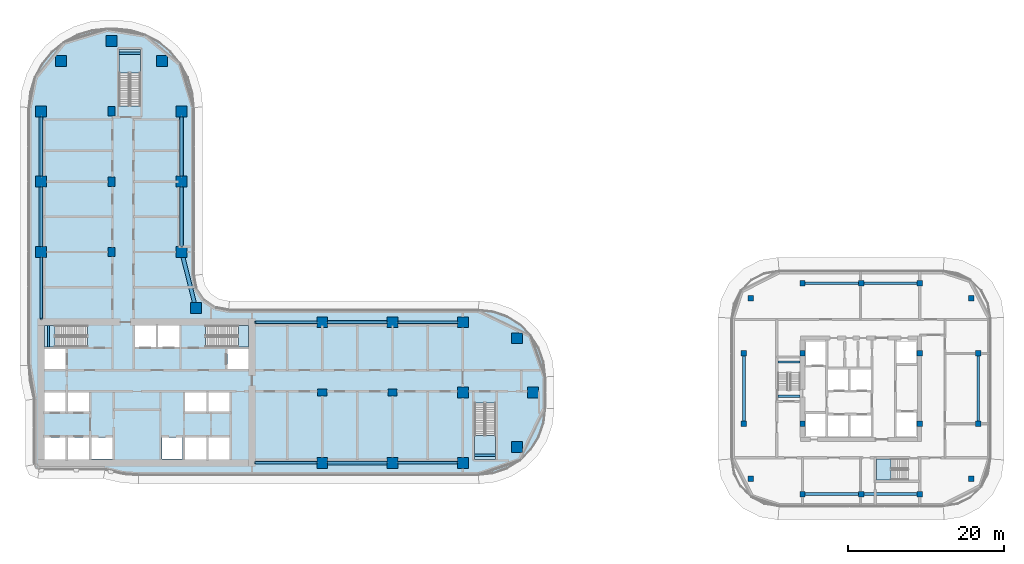
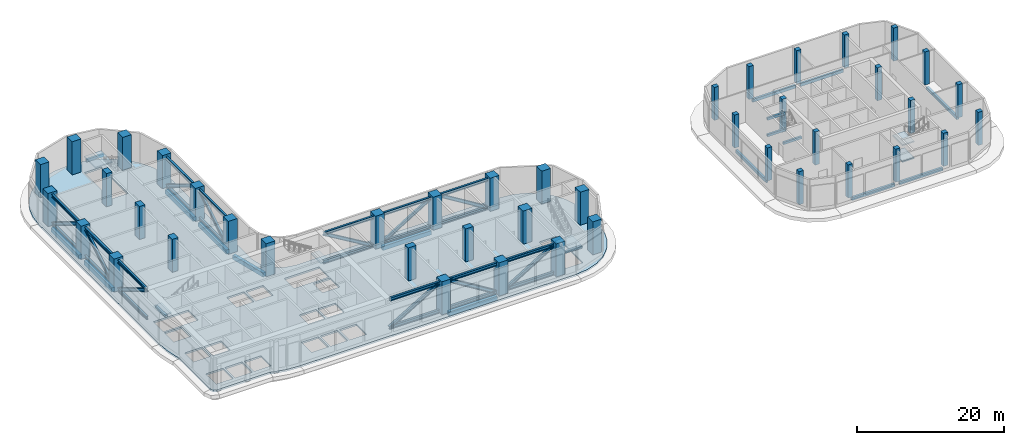
# One storey, part 1 of 23: 43 columns, 33 members, 19 beams, 7 slabs, 5 elements without a shape of their own.
"""IFC4 building model written with IfcOpenShell, lengths in metres."""

from ifc_helpers import new_model, si_unit, direction, frame, origin, origin_2d, place, context, subcontext, project, spatial, polyline, rectangle, i_section, outline, extrude, material, layer, layer_set, material_profile, profile_set, type_object, element, aggregate, save


model = new_model("IFC4")

# Units and contexts
model_context = context("Model", 3, precision=1e-05, world=origin(), true_north=direction((0.0, 1.0)))
body_context = subcontext(model_context, "Body", "Model", "MODEL_VIEW")
ifc_project = project(units=[si_unit("LENGTHUNIT", "METRE"), si_unit("AREAUNIT", "SQUARE_METRE"), si_unit("VOLUMEUNIT", "CUBIC_METRE"), si_unit("PLANEANGLEUNIT", "RADIAN"), si_unit("MASSUNIT", "GRAM", prefix="KILO")], contexts=[model_context])

# Site, building, storey
site_placement = place(None, origin())
site = spatial("IfcSite", under=ifc_project, at=site_placement, CompositionType="ELEMENT")
building_placement = place(site_placement, origin())
building = spatial("IfcBuilding", under=site, at=building_placement, Name="Ogive Portal Towers", CompositionType="ELEMENT")
storey_placement = place(building_placement, frame((0.0, 0.0, 81.60009765625)))
storey = spatial("IfcBuildingStorey", under=building, at=storey_placement, Name="L19", CompositionType="ELEMENT", Elevation=81.60009765625)

# Columns
ifc_material_1 = material(Name="Concrete C60/75", Category="concrete")
ifc_material_profile_1 = material_profile(ifc_material_1, rectangle(XDim=1.199951171875, YDim=0.89990234375, at=origin_2d()), Name="RC 1200x900")
ifc_profile_set_1 = profile_set([ifc_material_profile_1], Name="Concrete C60/75")
column_type_1 = type_object("IfcColumnType", Name="COLUMN RC 1200x900", PredefinedType="COLUMN", material=ifc_profile_set_1)
for number, where, z_axis, x_axis, name in (
    (1, (67.5, 30.5, 0.0), (0.0, 0.0, 1.0), (1.0, 0.0, 0.0), "Column 5/B L19"),
    (2, (76.5, 30.5, 0.0), (0.0, 0.0, 1.0), (1.0, 0.0, 0.0), "Column 6/B L19"),
    (3, (40.5, 48.5, 0.0), (0.0, 0.0, 1.0), (0.0, 1.0, 0.0), "Column 2/D L19"),
    (4, (40.5, 57.5, 0.0), (0.0, 0.0, 1.0), (0.0, 1.0, 0.0), "Column 2/E L19"),
    (5, (40.5, 66.5, 0.0), (0.0, 0.0, 1.0), (0.0, 1.0, 0.0), "Column 2/F L19"),
):
    element("IfcColumn", number, at=place(storey_placement, frame(where, z_axis=z_axis, x_axis=x_axis)), inside=storey, type_object=column_type_1, Name=name, PredefinedType="COLUMN", context=body_context, shape_type="SweptSolid", body=[
        extrude(rectangle(XDim=1.199951171875, YDim=0.89990234375, at=origin_2d()), origin(), (0.0, 0.0, 1.0), 5.5),
    ])
ifc_material_profile_2 = material_profile(ifc_material_1, rectangle(XDim=1.39990234375, YDim=1.39990234375, at=origin_2d()), Name="RC 1400x1400")
ifc_profile_set_2 = profile_set([ifc_material_profile_2], Name="Concrete C60/75")
column_type_2 = type_object("IfcColumnType", Name="COLUMN RC 1400x1400", PredefinedType="COLUMN", material=ifc_profile_set_2)
for number, where, z_axis, x_axis, name in (
    (6, (67.5, 21.5, 0.0), (0.0, 0.0, 1.0), (1.0, 0.0, 0.0), "Column 5/A L19"),
    (7, (76.5, 21.5, 0.0), (0.0, 0.0, 1.0), (1.0, 0.0, 0.0), "Column 6/A L19"),
    (8, (85.5, 21.5, 0.0), (0.0, 0.0, 1.0), (1.0, 0.0, 0.0), "Column 7/A L19"),
    (9, (92.449951171875, 23.550048828125, 0.0), (0.0, 0.0, 1.0), (1.0, 0.0, 0.0), "Column L19"),
    (10, (85.5, 30.5, 0.0), (0.0, 0.0, 1.0), (1.0, 0.0, 0.0), "Column 7/B L19"),
    (11, (94.5, 30.5, 0.0), (0.0, 0.0, 1.0), (1.0, 0.0, 0.0), "Column 8/B L19"),
    (12, (92.449951171875, 37.449951171875, 0.0), (0.0, 0.0, 1.0), (1.0, 0.0, 0.0), "Column L19"),
    (13, (67.5, 39.5, 0.0), (0.0, 0.0, 1.0), (1.0, 0.0, 0.0), "Column 5/C L19"),
    (14, (76.5, 39.5, 0.0), (0.0, 0.0, 1.0), (1.0, 0.0, 0.0), "Column 6/C L19"),
    (15, (85.5, 39.5, 0.0), (0.0, 0.0, 1.0), (1.0, 0.0, 0.0), "Column 7/C L19"),
    (16, (51.31005859375, 41.31005859375, 0.0), (0.0, 0.0, 1.0), (1.0, 0.0, 0.0), "Column L19"),
    (17, (31.5, 48.5, 0.0), (0.0, 0.0, 1.0), (1.0, 0.0, 0.0), "Column 1/D L19"),
    (18, (49.5, 48.5, 0.0), (0.0, 0.0, 1.0), (1.0, 0.0, 0.0), "Column 3/D L19"),
    (19, (31.5, 57.5, 0.0), (0.0, 0.0, 1.0), (1.0, 0.0, 0.0), "Column 1/E L19"),
    (20, (49.5, 57.5, 0.0), (0.0, 0.0, 1.0), (1.0, 0.0, 0.0), "Column 3/E L19"),
    (21, (31.5, 66.5, 0.0), (0.0, 0.0, 1.0), (1.0, 0.0, 0.0), "Column 1/F L19"),
    (22, (49.5, 66.5, 0.0), (0.0, 0.0, 1.0), (1.0, 0.0, 0.0), "Column 3/F L19"),
    (23, (34.027099609375, 72.972900390625, 0.0), (0.0, 0.0, 1.0), (1.0, 0.0, 0.0), "Column L19"),
    (24, (46.972900390625, 72.972900390625, 0.0), (0.0, 0.0, 1.0), (1.0, 0.0, 0.0), "Column L19"),
    (25, (40.5, 75.5, 0.0), (0.0, 0.0, 1.0), (1.0, 0.0, 0.0), "Column 2/G L19"),
):
    element("IfcColumn", number, at=place(storey_placement, frame(where, z_axis=z_axis, x_axis=x_axis)), inside=storey, type_object=column_type_2, Name=name, PredefinedType="COLUMN", context=body_context, shape_type="SweptSolid", body=[
        extrude(rectangle(XDim=1.39990234375, YDim=1.39990234375, at=origin_2d()), origin(), (0.0, 0.0, 1.0), 5.5),
    ])
ifc_material_2 = material(Name="Concrete C50/60", Category="concrete")
ifc_material_profile_3 = material_profile(ifc_material_2, rectangle(XDim=0.699951171875, YDim=0.699951171875, at=origin_2d()), Name="RC 700x700")
ifc_profile_set_3 = profile_set([ifc_material_profile_3], Name="Concrete C50/60")
column_type_3 = type_object("IfcColumnType", Name="COLUMN RC 700x700", PredefinedType="COLUMN", material=ifc_profile_set_3)
for number, where, z_axis, x_axis, name in (
    (26, (129.0, 17.5, 0.0), (0.0, 0.0, 1.0), (1.0, 0.0, 0.0), "Column 12/H L19"),
    (27, (136.5, 17.5, 0.0), (0.0, 0.0, 1.0), (1.0, 0.0, 0.0), "Column 13/H L19"),
    (28, (144.0, 17.5, 0.0), (0.0, 0.0, 1.0), (1.0, 0.0, 0.0), "Column 14/H L19"),
    (29, (122.40087890625, 19.44189453125, 0.0), (0.0, 0.0, 1.0), (1.0, 0.0, 0.0), "Column L19"),
    (30, (150.59912109375, 19.44189453125, 0.0), (0.0, 0.0, 1.0), (1.0, 0.0, 0.0), "Column L19"),
    (31, (121.5, 26.5, 0.0), (0.0, 0.0, 1.0), (1.0, 0.0, 0.0), "Column 11/J L19"),
    (32, (129.0, 26.5, 0.0), (0.0, 0.0, 1.0), (1.0, 0.0, 0.0), "Column 12/J L19"),
    (33, (144.0, 26.5, 0.0), (0.0, 0.0, 1.0), (1.0, 0.0, 0.0), "Column 14/J L19"),
    (34, (151.5, 26.5, 0.0), (0.0, 0.0, 1.0), (1.0, 0.0, 0.0), "Column 15/J L19"),
    (35, (121.5, 35.5, 0.0), (0.0, 0.0, 1.0), (1.0, 0.0, 0.0), "Column 11/K L19"),
    (36, (129.0, 35.5, 0.0), (0.0, 0.0, 1.0), (1.0, 0.0, 0.0), "Column 12/K L19"),
    (37, (144.0, 35.5, 0.0), (0.0, 0.0, 1.0), (1.0, 0.0, 0.0), "Column 14/K L19"),
    (38, (151.5, 35.5, 0.0), (0.0, 0.0, 1.0), (1.0, 0.0, 0.0), "Column 15/K L19"),
    (39, (122.40087890625, 42.55810546875, 0.0), (0.0, 0.0, 1.0), (1.0, 0.0, 0.0), "Column L19"),
    (40, (150.59912109375, 42.55810546875, 0.0), (0.0, 0.0, 1.0), (1.0, 0.0, 0.0), "Column L19"),
    (41, (129.0, 44.5, 0.0), (0.0, 0.0, 1.0), (1.0, 0.0, 0.0), "Column 12/L L19"),
    (42, (136.5, 44.5, 0.0), (0.0, 0.0, 1.0), (1.0, 0.0, 0.0), "Column 13/L L19"),
    (43, (144.0, 44.5, 0.0), (0.0, 0.0, 1.0), (1.0, 0.0, 0.0), "Column 14/L L19"),
):
    element("IfcColumn", number, at=place(storey_placement, frame(where, z_axis=z_axis, x_axis=x_axis)), inside=storey, type_object=column_type_3, Name=name, PredefinedType="COLUMN", context=body_context, shape_type="SweptSolid", body=[
        extrude(rectangle(XDim=0.699951171875, YDim=0.699951171875, at=origin_2d()), origin(), (0.0, 0.0, 1.0), 5.5),
    ])

# Beams
ifc_material_3 = material(Name="Concrete C40/50", Category="concrete")
ifc_material_profile_4 = material_profile(ifc_material_3, rectangle(XDim=0.300048828125, YDim=0.39990234375, at=origin_2d()), Name="RC 300x400")
ifc_profile_set_4 = profile_set([ifc_material_profile_4], Name="Concrete C40/50")
beam_type_1 = type_object("IfcBeamType", Name="BEAM RC 300x400", PredefinedType="BEAM", material=ifc_profile_set_4)
for number, where, z_axis, x_axis, name in (
    (44, (32.449951171875, 36.35009765625, 2.349853515625), (0.0, 1.0, 0.0), (-1.0, 0.0, 0.0), "Landing beam L19"),
    (45, (41.5, 73.949951171875, 2.349853515625), (1.0, 0.0, 0.0), (0.0, 1.0, 0.0), "Landing beam L19"),
    (46, (87.0, 22.449951171875, 2.349853515625), (1.0, 0.0, 0.0), (0.0, 1.0, 0.0), "Landing beam L19"),
):
    element("IfcBeam", number, at=place(storey_placement, frame(where, z_axis=z_axis, x_axis=x_axis)), inside=storey, type_object=beam_type_1, Name=name, PredefinedType="BEAM", context=body_context, shape_type="SweptSolid", body=[
        extrude(rectangle(XDim=0.300048828125, YDim=0.39990234375, at=origin_2d()), origin(), (0.0, 0.0, 1.0), 2.699951171875),
    ])
for number, where, z_axis, x_axis, name in (
    (47, (125.85009765625, 34.39990234375, 0.974853515625), (1.0, 0.0, 0.0), (0.0, 1.0, 0.0), "Landing beam L19"),
    (48, (125.85009765625, 30.0, 2.349853515625), (1.0, 0.0, 0.0), (0.0, 1.0, 0.0), "Landing beam L19"),
    (49, (125.85009765625, 34.39990234375, 3.724853515625), (1.0, 0.0, 0.0), (0.0, 1.0, 0.0), "Landing beam L19"),
):
    element("IfcBeam", number, at=place(storey_placement, frame(where, z_axis=z_axis, x_axis=x_axis)), inside=storey, type_object=beam_type_1, Name=name, PredefinedType="BEAM", context=body_context, shape_type="SweptSolid", body=[
        extrude(rectangle(XDim=0.300048828125, YDim=0.39990234375, at=origin_2d()), origin(), (0.0, 0.0, 1.0), 2.849853515625),
    ])

# Members
ifc_material_4 = material(Name="Steel S355", Category="steel")
ifc_material_profile_5 = material_profile(ifc_material_4, i_section(OverallWidth=0.300048828125, OverallDepth=0.5, WebThickness=0.014404296875, FlangeThickness=0.028076171875, FilletRadius=0.027099609375, at=origin_2d()), Name="HEB 500")
ifc_profile_set_5 = profile_set([ifc_material_profile_5], Name="Steel S355")
member_type_1 = type_object("IfcMemberType", Name="BRACE HEB 500", PredefinedType="BRACE", material=ifc_profile_set_5)
member_1_placement = place(storey_placement, frame((58.949951171875, 21.5, 0.261962890625), z_axis=(0.859131787957, 0.0, 0.511754404887), x_axis=(0.0, 1.0, 0.0)))
element("IfcMember", 50, at=member_1_placement, inside=storey, type_object=member_type_1, Name="Outrigger diagonal", PredefinedType="BRACE", context=body_context, shape_type="SweptSolid", body=[
    extrude(i_section(OverallWidth=0.300048828125, OverallDepth=0.5, WebThickness=0.014404296875, FlangeThickness=0.028076171875, FilletRadius=0.027099609375, at=origin_2d()), origin(), (0.0, 0.0, 1.0), 9.13720703125),
])
for number, where, z_axis, x_axis, name in (
    (51, (68.199951171875, 21.5, 4.93798828125), (0.851706221907, 0.0, -0.524019571738), (0.0, 1.0, 0.0), "Outrigger diagonal"),
    (52, (77.199951171875, 21.5, 0.261962890625), (0.851706221907, 0.0, 0.524019571738), (0.0, 1.0, 0.0), "Outrigger diagonal"),
    (53, (84.800048828125, 39.5, 0.261962890625), (-0.851706221907, 0.0, 0.524019571738), (0.0, -1.0, 0.0), "Outrigger diagonal"),
    (54, (75.800048828125, 39.5, 4.93798828125), (-0.851706221907, 0.0, -0.524019571738), (0.0, -1.0, 0.0), "Outrigger diagonal"),
):
    element("IfcMember", number, at=place(storey_placement, frame(where, z_axis=z_axis, x_axis=x_axis)), inside=storey, type_object=member_type_1, Name=name, PredefinedType="BRACE", context=body_context, shape_type="SweptSolid", body=[
        extrude(i_section(OverallWidth=0.300048828125, OverallDepth=0.5, WebThickness=0.014404296875, FlangeThickness=0.028076171875, FilletRadius=0.027099609375, at=origin_2d()), origin(), (0.0, 0.0, 1.0), 8.92333984375),
    ])
member_2_placement = place(storey_placement, frame((66.800048828125, 39.5, 0.261962890625), z_axis=(-0.859131787957, 0.0, 0.511754404887), x_axis=(0.0, -1.0, 0.0)))
element("IfcMember", 55, at=member_2_placement, inside=storey, type_object=member_type_1, Name="Outrigger diagonal", PredefinedType="BRACE", context=body_context, shape_type="SweptSolid", body=[
    extrude(i_section(OverallWidth=0.300048828125, OverallDepth=0.5, WebThickness=0.014404296875, FlangeThickness=0.028076171875, FilletRadius=0.027099609375, at=origin_2d()), origin(), (0.0, 0.0, 1.0), 9.13720703125),
])
for number, where, z_axis, x_axis, name in (
    (56, (49.5, 49.199951171875, 0.261962890625), (0.0, 0.851706221907, 0.524019571738), (-1.0, 0.0, 0.0), "Outrigger diagonal"),
    (57, (49.5, 58.199951171875, 4.93798828125), (0.0, 0.851706221907, -0.524019571738), (-1.0, 0.0, 0.0), "Outrigger diagonal"),
    (58, (31.5, 65.800048828125, 0.261962890625), (0.0, -0.851706221907, 0.524019571738), (1.0, 0.0, 0.0), "Outrigger diagonal"),
    (59, (31.5, 56.800048828125, 4.93798828125), (0.0, -0.851706221907, -0.524019571738), (1.0, 0.0, 0.0), "Outrigger diagonal"),
):
    element("IfcMember", number, at=place(storey_placement, frame(where, z_axis=z_axis, x_axis=x_axis)), inside=storey, type_object=member_type_1, Name=name, PredefinedType="BRACE", context=body_context, shape_type="SweptSolid", body=[
        extrude(i_section(OverallWidth=0.300048828125, OverallDepth=0.5, WebThickness=0.014404296875, FlangeThickness=0.028076171875, FilletRadius=0.027099609375, at=origin_2d()), origin(), (0.0, 0.0, 1.0), 8.92333984375),
    ])
member_3_placement = place(storey_placement, frame((31.5, 47.800048828125, 0.261962890625), z_axis=(0.0, -0.859131787957, 0.511754404887), x_axis=(1.0, 0.0, 0.0)))
element("IfcMember", 60, at=member_3_placement, inside=storey, type_object=member_type_1, Name="Outrigger diagonal", PredefinedType="BRACE", context=body_context, shape_type="SweptSolid", body=[
    extrude(i_section(OverallWidth=0.300048828125, OverallDepth=0.5, WebThickness=0.014404296875, FlangeThickness=0.028076171875, FilletRadius=0.027099609375, at=origin_2d()), origin(), (0.0, 0.0, 1.0), 9.13720703125),
])
ifc_material_profile_6 = material_profile(ifc_material_4, i_section(OverallWidth=0.305908203125, OverallDepth=0.52392578125, WebThickness=0.02099609375, FlangeThickness=0.0400390625, FilletRadius=0.027099609375, at=origin_2d()), Name="HEM 500")
ifc_profile_set_6 = profile_set([ifc_material_profile_6], Name="Steel S355")
member_type_2 = type_object("IfcMemberType", Name="CHORD HEM 500", PredefinedType="CHORD", material=ifc_profile_set_6)
for number, where, z_axis, x_axis, name in (
    (61, (58.949951171875, 21.5, 0.261962890625), (1.0, 0.0, 0.0), (0.0, 1.0, 0.0), "Outrigger bottom chord"),
    (62, (58.949951171875, 21.5, 4.93798828125), (1.0, 0.0, 0.0), (0.0, 1.0, 0.0), "Outrigger top chord"),
):
    element("IfcMember", number, at=place(storey_placement, frame(where, z_axis=z_axis, x_axis=x_axis)), inside=storey, type_object=member_type_2, Name=name, PredefinedType="CHORD", context=body_context, shape_type="SweptSolid", body=[
        extrude(i_section(OverallWidth=0.305908203125, OverallDepth=0.52392578125, WebThickness=0.02099609375, FlangeThickness=0.0400390625, FilletRadius=0.027099609375, at=origin_2d()), origin(), (0.0, 0.0, 1.0), 7.85009765625),
    ])
for number, where, z_axis, x_axis, name in (
    (63, (68.199951171875, 21.5, 0.261962890625), (1.0, 0.0, 0.0), (0.0, 1.0, 0.0), "Outrigger bottom chord"),
    (64, (68.199951171875, 21.5, 4.93798828125), (1.0, 0.0, 0.0), (0.0, 1.0, 0.0), "Outrigger top chord"),
    (65, (77.199951171875, 21.5, 0.261962890625), (1.0, 0.0, 0.0), (0.0, 1.0, 0.0), "Outrigger bottom chord"),
    (66, (77.199951171875, 21.5, 4.93798828125), (1.0, 0.0, 0.0), (0.0, 1.0, 0.0), "Outrigger top chord"),
    (67, (84.800048828125, 39.5, 0.261962890625), (-1.0, 0.0, 0.0), (0.0, -1.0, 0.0), "Outrigger bottom chord"),
    (68, (84.800048828125, 39.5, 4.93798828125), (-1.0, 0.0, 0.0), (0.0, -1.0, 0.0), "Outrigger top chord"),
    (69, (75.800048828125, 39.5, 0.261962890625), (-1.0, 0.0, 0.0), (0.0, -1.0, 0.0), "Outrigger bottom chord"),
    (70, (75.800048828125, 39.5, 4.93798828125), (-1.0, 0.0, 0.0), (0.0, -1.0, 0.0), "Outrigger top chord"),
):
    element("IfcMember", number, at=place(storey_placement, frame(where, z_axis=z_axis, x_axis=x_axis)), inside=storey, type_object=member_type_2, Name=name, PredefinedType="CHORD", context=body_context, shape_type="SweptSolid", body=[
        extrude(i_section(OverallWidth=0.305908203125, OverallDepth=0.52392578125, WebThickness=0.02099609375, FlangeThickness=0.0400390625, FilletRadius=0.027099609375, at=origin_2d()), origin(), (0.0, 0.0, 1.0), 7.60009765625),
    ])
for number, where, z_axis, x_axis, name in (
    (71, (66.800048828125, 39.5, 0.261962890625), (-1.0, 0.0, 0.0), (0.0, -1.0, 0.0), "Outrigger bottom chord"),
    (72, (66.800048828125, 39.5, 4.93798828125), (-1.0, 0.0, 0.0), (0.0, -1.0, 0.0), "Outrigger top chord"),
):
    element("IfcMember", number, at=place(storey_placement, frame(where, z_axis=z_axis, x_axis=x_axis)), inside=storey, type_object=member_type_2, Name=name, PredefinedType="CHORD", context=body_context, shape_type="SweptSolid", body=[
        extrude(i_section(OverallWidth=0.305908203125, OverallDepth=0.52392578125, WebThickness=0.02099609375, FlangeThickness=0.0400390625, FilletRadius=0.027099609375, at=origin_2d()), origin(), (0.0, 0.0, 1.0), 7.85009765625),
    ])
for number, where, z_axis, x_axis, name in (
    (73, (49.5, 49.199951171875, 0.261962890625), (0.0, 1.0, 0.0), (-1.0, 0.0, 0.0), "Outrigger bottom chord"),
    (74, (49.5, 49.199951171875, 4.93798828125), (0.0, 1.0, 0.0), (-1.0, 0.0, 0.0), "Outrigger top chord"),
    (75, (49.5, 58.199951171875, 0.261962890625), (0.0, 1.0, 0.0), (-1.0, 0.0, 0.0), "Outrigger bottom chord"),
    (76, (49.5, 58.199951171875, 4.93798828125), (0.0, 1.0, 0.0), (-1.0, 0.0, 0.0), "Outrigger top chord"),
    (77, (31.5, 65.800048828125, 0.261962890625), (0.0, -1.0, 0.0), (1.0, 0.0, 0.0), "Outrigger bottom chord"),
    (78, (31.5, 65.800048828125, 4.93798828125), (0.0, -1.0, 0.0), (1.0, 0.0, 0.0), "Outrigger top chord"),
    (79, (31.5, 56.800048828125, 0.261962890625), (0.0, -1.0, 0.0), (1.0, 0.0, 0.0), "Outrigger bottom chord"),
    (80, (31.5, 56.800048828125, 4.93798828125), (0.0, -1.0, 0.0), (1.0, 0.0, 0.0), "Outrigger top chord"),
):
    element("IfcMember", number, at=place(storey_placement, frame(where, z_axis=z_axis, x_axis=x_axis)), inside=storey, type_object=member_type_2, Name=name, PredefinedType="CHORD", context=body_context, shape_type="SweptSolid", body=[
        extrude(i_section(OverallWidth=0.305908203125, OverallDepth=0.52392578125, WebThickness=0.02099609375, FlangeThickness=0.0400390625, FilletRadius=0.027099609375, at=origin_2d()), origin(), (0.0, 0.0, 1.0), 7.60009765625),
    ])
for number, where, z_axis, x_axis, name in (
    (81, (31.5, 47.800048828125, 0.261962890625), (0.0, -1.0, 0.0), (1.0, 0.0, 0.0), "Outrigger bottom chord"),
    (82, (31.5, 47.800048828125, 4.93798828125), (0.0, -1.0, 0.0), (1.0, 0.0, 0.0), "Outrigger top chord"),
):
    element("IfcMember", number, at=place(storey_placement, frame(where, z_axis=z_axis, x_axis=x_axis)), inside=storey, type_object=member_type_2, Name=name, PredefinedType="CHORD", context=body_context, shape_type="SweptSolid", body=[
        extrude(i_section(OverallWidth=0.305908203125, OverallDepth=0.52392578125, WebThickness=0.02099609375, FlangeThickness=0.0400390625, FilletRadius=0.027099609375, at=origin_2d()), origin(), (0.0, 0.0, 1.0), 7.85009765625),
    ])

# Beams
ifc_material_profile_7 = material_profile(ifc_material_2, rectangle(XDim=0.35009765625, YDim=0.5, at=origin_2d()), Name="RC 350x500")
ifc_profile_set_7 = profile_set([ifc_material_profile_7], Name="Concrete C50/60")
beam_type_2 = type_object("IfcBeamType", Name="SPANDREL BEAM RC 350x500", PredefinedType="BEAM", material=ifc_profile_set_7)
for number, where, z_axis, x_axis, name in (
    (83, (129.35009765625, 17.5, -0.550048828125), (1.0, 0.0, 0.0), (0.0, 1.0, 0.0), "Spandrel beam L19"),
    (84, (136.85009765625, 17.5, -0.550048828125), (1.0, 0.0, 0.0), (0.0, 1.0, 0.0), "Spandrel beam L19"),
):
    element("IfcBeam", number, at=place(storey_placement, frame(where, z_axis=z_axis, x_axis=x_axis)), inside=storey, type_object=beam_type_2, Name=name, PredefinedType="BEAM", context=body_context, shape_type="SweptSolid", body=[
        extrude(rectangle(XDim=0.35009765625, YDim=0.5, at=origin_2d()), origin(), (0.0, 0.0, 1.0), 6.7998046875),
    ])
beam_1_placement = place(storey_placement, frame((151.5, 26.85009765625, -0.550048828125), z_axis=(0.0, 1.0, 0.0), x_axis=(-1.0, 0.0, 0.0)))
element("IfcBeam", 85, at=beam_1_placement, inside=storey, type_object=beam_type_2, Name="Spandrel beam L19", PredefinedType="BEAM", context=body_context, shape_type="SweptSolid", body=[
    extrude(rectangle(XDim=0.35009765625, YDim=0.5, at=origin_2d()), origin(), (0.0, 0.0, 1.0), 8.2998046875),
])
for number, where, z_axis, x_axis, name in (
    (86, (143.64990234375, 44.5, -0.550048828125), (-1.0, 0.0, 0.0), (0.0, -1.0, 0.0), "Spandrel beam L19"),
    (87, (136.14990234375, 44.5, -0.550048828125), (-1.0, 0.0, 0.0), (0.0, -1.0, 0.0), "Spandrel beam L19"),
):
    element("IfcBeam", number, at=place(storey_placement, frame(where, z_axis=z_axis, x_axis=x_axis)), inside=storey, type_object=beam_type_2, Name=name, PredefinedType="BEAM", context=body_context, shape_type="SweptSolid", body=[
        extrude(rectangle(XDim=0.35009765625, YDim=0.5, at=origin_2d()), origin(), (0.0, 0.0, 1.0), 6.7998046875),
    ])
beam_2_placement = place(storey_placement, frame((121.5, 35.14990234375, -0.550048828125), z_axis=(0.0, -1.0, 0.0), x_axis=(1.0, 0.0, 0.0)))
element("IfcBeam", 88, at=beam_2_placement, inside=storey, type_object=beam_type_2, Name="Spandrel beam L19", PredefinedType="BEAM", context=body_context, shape_type="SweptSolid", body=[
    extrude(rectangle(XDim=0.35009765625, YDim=0.5, at=origin_2d()), origin(), (0.0, 0.0, 1.0), 8.2998046875),
])
ifc_material_profile_8 = material_profile(ifc_material_3, rectangle(XDim=0.5, YDim=0.699951171875, at=origin_2d()), Name="RC 500x700")
ifc_profile_set_8 = profile_set([ifc_material_profile_8], Name="Concrete C40/50")
beam_type_3 = type_object("IfcBeamType", Name="SPANDREL BEAM RC 500x700", PredefinedType="BEAM", material=ifc_profile_set_8)
for number, where, z_axis, x_axis, name in (
    (89, (31.5, 49.199951171875, -0.650146484375), (0.0, 1.0, 0.0), (-1.0, 0.0, 0.0), "Spandrel beam L19"),
    (90, (31.5, 58.199951171875, -0.650146484375), (0.0, 1.0, 0.0), (-1.0, 0.0, 0.0), "Spandrel beam L19"),
    (91, (49.5, 65.800048828125, -0.650146484375), (0.0, -1.0, 0.0), (1.0, 0.0, 0.0), "Spandrel beam L19"),
    (92, (49.5, 56.800048828125, -0.650146484375), (0.0, -1.0, 0.0), (1.0, 0.0, 0.0), "Spandrel beam L19"),
):
    element("IfcBeam", number, at=place(storey_placement, frame(where, z_axis=z_axis, x_axis=x_axis)), inside=storey, type_object=beam_type_3, Name=name, PredefinedType="BEAM", context=body_context, shape_type="SweptSolid", body=[
        extrude(rectangle(XDim=0.5, YDim=0.699951171875, at=origin_2d()), origin(), (0.0, 0.0, 1.0), 7.60009765625),
    ])
beam_3_placement = place(storey_placement, frame((49.67626953125, 47.800048828125, -0.650146484375), z_axis=(0.24411317639, -0.969746748957, 0.0), x_axis=(0.969746748957, 0.24411317639, 0.0)))
element("IfcBeam", 93, at=beam_3_placement, inside=storey, type_object=beam_type_3, Name="Spandrel beam L19", PredefinedType="BEAM", context=body_context, shape_type="SweptSolid", body=[
    extrude(rectangle(XDim=0.5, YDim=0.699951171875, at=origin_2d()), origin(), (0.0, 0.0, 1.0), 5.970703125),
])
for number, where, z_axis, x_axis, name in (
    (94, (68.199951171875, 39.5, -0.650146484375), (1.0, 0.0, 0.0), (0.0, 1.0, 0.0), "Spandrel beam L19"),
    (95, (75.800048828125, 21.5, -0.650146484375), (-1.0, 0.0, 0.0), (0.0, -1.0, 0.0), "Spandrel beam L19"),
):
    element("IfcBeam", number, at=place(storey_placement, frame(where, z_axis=z_axis, x_axis=x_axis)), inside=storey, type_object=beam_type_3, Name=name, PredefinedType="BEAM", context=body_context, shape_type="SweptSolid", body=[
        extrude(rectangle(XDim=0.5, YDim=0.699951171875, at=origin_2d()), origin(), (0.0, 0.0, 1.0), 7.60009765625),
    ])

# Stair, slab
stair_type = type_object("IfcStairType", Name="INT-STAIR", PredefinedType="HALF_TURN_STAIR", material=ifc_material_3)
stair_1_placement = place(storey_placement, origin())
stair_1 = element("IfcStair", 96, at=stair_1_placement, inside=storey, type_object=stair_type, Name="L19 Exit Stair ST-A1", PredefinedType="HALF_TURN_STAIR")
ifc_layer_1 = layer(ifc_material_3, 0.199951171875)
ifc_layer_set_1 = layer_set([ifc_layer_1], Name="INT-LANDING")
slab_type_1 = type_object("IfcSlabType", Name="INT-LANDING", PredefinedType="LANDING", material=ifc_layer_set_1)
slab_1_placement = place(storey_placement, frame((0.0, 0.0, 2.5498046875)))
slab_1 = element("IfcSlab", 97, at=slab_1_placement, type_object=slab_type_1, Name="ST-A1 landing 1", PredefinedType="LANDING", context=body_context, shape_type="SweptSolid", body=[
    extrude(outline(polyline([(33.25, 39.050048828125), (31.949951171875, 39.050048828125), (31.949951171875, 36.35009765625), (33.25, 36.35009765625), (33.25, 39.050048828125)])), origin(), (0.0, 0.0, 1.0), 0.2001953125),
])
aggregate(stair_1, [slab_1])

stair_2_placement = place(storey_placement, origin())
stair_2 = element("IfcStair", 98, at=stair_2_placement, inside=storey, type_object=stair_type, Name="L19 Exit Stair ST-A2", PredefinedType="HALF_TURN_STAIR")
slab_2_placement = place(storey_placement, frame((0.0, 0.0, 2.5498046875)))
slab_2 = element("IfcSlab", 99, at=slab_2_placement, type_object=slab_type_1, Name="ST-A2 landing 1", PredefinedType="LANDING", context=body_context, shape_type="SweptSolid", body=[
    extrude(outline(polyline([(56.75, 36.35009765625), (58.050048828125, 36.35009765625), (58.050048828125, 39.050048828125), (56.75, 39.050048828125), (56.75, 36.35009765625)])), origin(), (0.0, 0.0, 1.0), 0.2001953125),
])
aggregate(stair_2, [slab_2])

stair_3_placement = place(storey_placement, origin())
stair_3 = element("IfcStair", 100, at=stair_3_placement, inside=storey, type_object=stair_type, Name="L19 Exit Stair ST-A3", PredefinedType="HALF_TURN_STAIR")
slab_3_placement = place(storey_placement, frame((0.0, 0.0, 2.5498046875)))
slab_3 = element("IfcSlab", 101, at=slab_3_placement, type_object=slab_type_1, Name="ST-A3 landing 1", PredefinedType="LANDING", context=body_context, shape_type="SweptSolid", body=[
    extrude(outline(polyline([(44.199951171875, 71.39990234375), (44.199951171875, 74.449951171875), (41.5, 74.449951171875), (41.5, 71.39990234375), (44.199951171875, 71.39990234375)])), origin(), (0.0, 0.0, 1.0), 0.2001953125),
])
aggregate(stair_3, [slab_3])

stair_4_placement = place(storey_placement, origin())
stair_4 = element("IfcStair", 102, at=stair_4_placement, inside=storey, type_object=stair_type, Name="L19 Exit Stair ST-A4", PredefinedType="HALF_TURN_STAIR")
slab_4_placement = place(storey_placement, frame((0.0, 0.0, 2.5498046875)))
slab_4 = element("IfcSlab", 103, at=slab_4_placement, type_object=slab_type_1, Name="ST-A4 landing 1", PredefinedType="LANDING", context=body_context, shape_type="SweptSolid", body=[
    extrude(outline(polyline([(87.0, 24.969970703125), (87.0, 21.949951171875), (89.699951171875, 21.949951171875), (89.699951171875, 24.969970703125), (87.0, 24.969970703125)])), origin(), (0.0, 0.0, 1.0), 0.2001953125),
])
aggregate(stair_4, [slab_4])

# Stair, slabs
stair_5_placement = place(storey_placement, origin())
stair_5 = element("IfcStair", 104, at=stair_5_placement, inside=storey, type_object=stair_type, Name="L19 Exit Stair ST-B2", PredefinedType="HALF_TURN_STAIR")
slab_5_placement = place(storey_placement, frame((0.0, 0.0, 1.1748046875)))
slab_5 = element("IfcSlab", 105, at=slab_5_placement, type_object=slab_type_1, Name="ST-B2 landing 1", PredefinedType="LANDING", context=body_context, shape_type="SweptSolid", body=[
    extrude(outline(polyline([(140.31005859375, 22.0), (138.449951171875, 22.0), (138.449951171875, 19.300048828125), (140.31005859375, 19.300048828125), (140.31005859375, 22.0)])), origin(), (0.0, 0.0, 1.0), 0.2001953125),
])
slab_6_placement = place(storey_placement, frame((0.0, 0.0, 3.9248046875)))
slab_6 = element("IfcSlab", 106, at=slab_6_placement, type_object=slab_type_1, Name="ST-B2 landing 3", PredefinedType="LANDING", context=body_context, shape_type="SweptSolid", body=[
    extrude(outline(polyline([(140.31005859375, 22.0), (138.449951171875, 22.0), (138.449951171875, 19.300048828125), (140.31005859375, 19.300048828125), (140.31005859375, 22.0)])), origin(), (0.0, 0.0, 1.0), 0.2001953125),
])
aggregate(stair_5, [slab_5, slab_6])

# Slab
ifc_material_5 = material(Name="Concrete C45/55", Category="concrete")
ifc_layer_2 = layer(ifc_material_5, 0.300048828125)
ifc_layer_set_2 = layer_set([ifc_layer_2], Name="PT FLAT PLATE 300")
slab_type_2 = type_object("IfcSlabType", Name="PT FLAT PLATE 300", PredefinedType="FLOOR", material=ifc_layer_set_2)
slab_7_placement = place(storey_placement, frame((0.0, 0.0, -0.300048828125)))
element("IfcSlab", 107, at=slab_7_placement, inside=storey, type_object=slab_type_2, Name="Floor slab L19", PredefinedType="FLOOR", context=body_context, shape_type="SweptSolid", body=[
    extrude(outline(polyline([(30.142578125, 32.007568359375), (30.567138671875, 30.0556640625), (30.699951171875, 29.699462890625), (30.699951171875, 21.300048828125), (30.875732421875, 20.875732421875), (31.300048828125, 20.699951171875), (39.699462890625, 20.699951171875), (40.0556640625, 20.567138671875), (42.007568359375, 20.142578125), (44.0, 20.0), (87.5, 20.0), (89.391357421875, 20.213134765625), (91.18798828125, 20.841796875), (92.7998046875, 21.8544921875), (94.1455078125, 23.2001953125), (95.158203125, 24.81201171875), (95.786865234375, 26.608642578125), (96.0, 28.5), (96.0, 32.5), (95.786865234375, 34.391357421875), (95.158203125, 36.18798828125), (94.1455078125, 37.7998046875), (92.7998046875, 39.1455078125), (91.18798828125, 40.158203125), (89.391357421875, 40.786865234375), (87.5, 41.0), (55.5, 41.0), (53.77783203125, 41.342529296875), (52.318115234375, 42.318115234375), (51.342529296875, 43.77783203125), (51.0, 45.5), (51.0, 67.0), (50.807861328125, 68.950927734375), (50.23876953125, 70.826904296875), (49.314697265625, 72.5556640625), (48.071044921875, 74.071044921875), (46.5556640625, 75.314697265625), (44.826904296875, 76.23876953125), (42.950927734375, 76.807861328125), (41.0, 77.0), (40.0, 77.0), (38.049072265625, 76.807861328125), (36.173095703125, 76.23876953125), (34.4443359375, 75.314697265625), (32.928955078125, 74.071044921875), (31.685302734375, 72.5556640625), (30.76123046875, 70.826904296875), (30.192138671875, 68.950927734375), (30.0, 67.0), (30.0, 34.0), (30.142578125, 32.007568359375)]), holes=[polyline([(34.64990234375, 24.75), (34.64990234375, 21.949951171875), (31.949951171875, 21.949951171875), (31.949951171875, 24.75), (34.64990234375, 24.75)]), polyline([(37.64990234375, 24.75), (37.64990234375, 21.949951171875), (34.949951171875, 21.949951171875), (34.949951171875, 24.75), (37.64990234375, 24.75)]), polyline([(40.6298828125, 21.969970703125), (37.969970703125, 21.969970703125), (37.969970703125, 24.72998046875), (40.6298828125, 24.72998046875), (40.6298828125, 21.969970703125)]), polyline([(34.64990234375, 28.050048828125), (31.949951171875, 28.050048828125), (31.949951171875, 30.5), (34.64990234375, 30.5), (34.64990234375, 28.050048828125)]), polyline([(37.64990234375, 28.050048828125), (34.949951171875, 28.050048828125), (34.949951171875, 30.5), (37.64990234375, 30.5), (37.64990234375, 28.050048828125)]), polyline([(34.64990234375, 36.050048828125), (34.64990234375, 33.5), (31.949951171875, 33.5), (31.949951171875, 36.050048828125), (34.64990234375, 36.050048828125)]), polyline([(31.951904296875, 39.048095703125), (37.447998046875, 39.048095703125), (37.447998046875, 36.35205078125), (31.951904296875, 36.35205078125), (31.951904296875, 39.048095703125)]), polyline([(46.199951171875, 39.050048828125), (46.199951171875, 36.35009765625), (43.5, 36.35009765625), (43.5, 39.050048828125), (46.199951171875, 39.050048828125)]), polyline([(49.199951171875, 36.35009765625), (46.5, 36.35009765625), (46.5, 39.050048828125), (49.199951171875, 39.050048828125), (49.199951171875, 36.35009765625)]), polyline([(44.197998046875, 67.201904296875), (41.501953125, 67.201904296875), (41.501953125, 74.447998046875), (44.197998046875, 74.447998046875), (44.197998046875, 67.201904296875)]), polyline([(49.6298828125, 21.969970703125), (46.969970703125, 21.969970703125), (46.969970703125, 24.72998046875), (49.6298828125, 24.72998046875), (49.6298828125, 21.969970703125)]), polyline([(52.64990234375, 24.75), (52.64990234375, 21.949951171875), (49.949951171875, 21.949951171875), (49.949951171875, 24.75), (52.64990234375, 24.75)]), polyline([(55.64990234375, 21.949951171875), (52.949951171875, 21.949951171875), (52.949951171875, 24.75), (55.64990234375, 24.75), (55.64990234375, 21.949951171875)]), polyline([(87.001953125, 29.16796875), (89.697998046875, 29.16796875), (89.697998046875, 21.951904296875), (87.001953125, 21.951904296875), (87.001953125, 29.16796875)]), polyline([(52.64990234375, 30.5), (52.64990234375, 28.050048828125), (49.949951171875, 28.050048828125), (49.949951171875, 30.5), (52.64990234375, 30.5)]), polyline([(55.64990234375, 30.5), (55.64990234375, 28.050048828125), (52.949951171875, 28.050048828125), (52.949951171875, 30.5), (55.64990234375, 30.5)]), polyline([(58.050048828125, 33.5), (55.35009765625, 33.5), (55.35009765625, 36.050048828125), (58.050048828125, 36.050048828125), (58.050048828125, 33.5)]), polyline([(52.552001953125, 36.35205078125), (52.552001953125, 39.048095703125), (58.048095703125, 39.048095703125), (58.048095703125, 36.35205078125), (52.552001953125, 36.35205078125)])]), origin(), (0.0, 0.0, 1.0), 0.300048828125),
])

save(model, "model.ifc")
